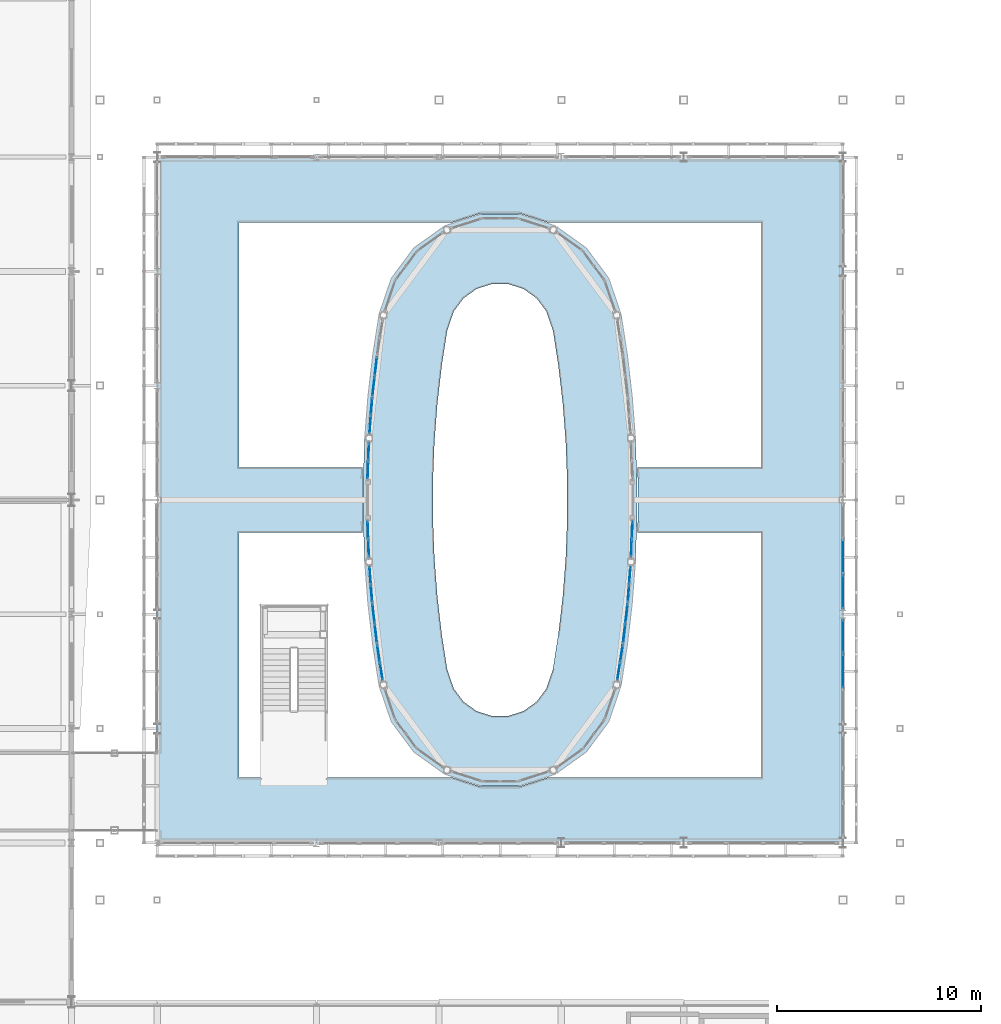
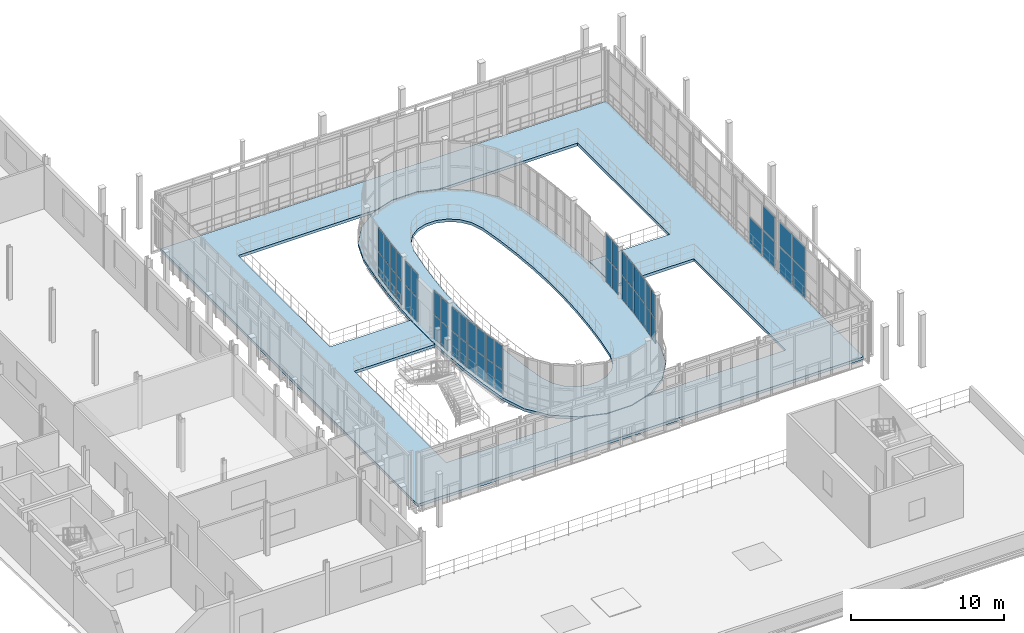
# One storey, part 98 of 138: 51 plates, 2 slabs, 13 elements without a shape of their own.
"""IFC4 building model written with IfcOpenShell, lengths in metres."""

from ifc_helpers import new_model, si_unit, direction, frame, origin, origin_2d, place, context, subcontext, project, spatial, polyline, rectangle, outline, extrude, material, layer, layer_set, type_object, element, aggregate, save


model = new_model("IFC4")

# Units and contexts
model_context = context("Model", 3, precision=1e-05, world=origin(), true_north=direction((0.0, 1.0)))
body_context = subcontext(model_context, "Body", "Model", "MODEL_VIEW")
ifc_project = project(units=[si_unit("LENGTHUNIT", "METRE"), si_unit("AREAUNIT", "SQUARE_METRE"), si_unit("VOLUMEUNIT", "CUBIC_METRE"), si_unit("PLANEANGLEUNIT", "RADIAN"), si_unit("MASSUNIT", "GRAM", prefix="KILO")], contexts=[model_context])

# Site, building, storey
site_placement = place(None, origin())
site = spatial("IfcSite", under=ifc_project, at=site_placement, CompositionType="ELEMENT")
building_placement = place(site_placement, origin())
building = spatial("IfcBuilding", under=site, at=building_placement, Name="Vinh Khe Railworks Police Headquarters", CompositionType="ELEMENT")
storey_placement = place(building_placement, frame((0.0, 0.0, 9.0)))
storey = spatial("IfcBuildingStorey", under=building, at=storey_placement, Name="L02", CompositionType="ELEMENT", Elevation=9.0)

# Curtain wall, plates
ifc_material_1 = material(Name="Anodised aluminium and acoustic laminated glass", Category="aluminium")
ifc_layer_1 = layer(ifc_material_1, 0.159912109375)
ifc_layer_set_1 = layer_set([ifc_layer_1], Name="Anodised aluminium and acoustic laminated glass")
curtain_wall_type_1 = type_object("IfcCurtainWallType", Name="CW-DRUM-CHORD", PredefinedType="USERDEFINED", material=ifc_layer_set_1)
curtain_wall_1_placement = place(storey_placement, origin())
curtain_wall_1 = element("IfcCurtainWall", 1, at=curtain_wall_1_placement, inside=storey, type_object=curtain_wall_type_1, Name="Elliptical Command Drum Glazing L02 Chord 1", ObjectType="DRUM FACADE GLAZING", PredefinedType="USERDEFINED")
ifc_material_2 = material(Name="Acoustic laminated solar-control glass", Category="glass")
ifc_layer_2 = layer(ifc_material_2, 0.031982421875)
ifc_layer_set_2 = layer_set([ifc_layer_2], Name="Acoustic laminated solar-control glass")
plate_type_1 = type_object("IfcPlateType", Name="PAN-DRUM-32", PredefinedType="CURTAIN_PANEL", material=ifc_layer_set_2)
plate_1_placement = place(storey_placement, frame((49.015869140625, 33.6064453125, 0.06494140625), z_axis=(0.0, 0.0, 1.0), x_axis=(0.153490222159, 0.988150166575, 0.0)))
plate_1 = element("IfcPlate", 2, at=plate_1_placement, type_object=plate_type_1, Name="CW-02 panel 1.1", PredefinedType="CURTAIN_PANEL", context=body_context, shape_type="SweptSolid", body=[
    extrude(rectangle(XDim=0.814697265625, YDim=0.031982421875, at=origin_2d()), origin(), (0.0, 0.0, 1.0), 1.887451171875),
])
plate_2_placement = place(storey_placement, frame((49.015869140625, 33.6064453125, 2.017578125), z_axis=(0.0, 0.0, 1.0), x_axis=(0.153490222159, 0.988150166575, 0.0)))
plate_2 = element("IfcPlate", 3, at=plate_2_placement, type_object=plate_type_1, Name="CW-02 panel 1.2", PredefinedType="CURTAIN_PANEL", context=body_context, shape_type="SweptSolid", body=[
    extrude(rectangle(XDim=0.814697265625, YDim=0.031982421875, at=origin_2d()), origin(), (0.0, 0.0, 1.0), 1.887451171875),
])
plate_3_placement = place(storey_placement, frame((49.15087890625, 34.475830078125, 0.06494140625), z_axis=(0.0, 0.0, 1.0), x_axis=(0.153490222159, 0.988150166575, 0.0)))
plate_3 = element("IfcPlate", 4, at=plate_3_placement, type_object=plate_type_1, Name="CW-02 panel 2.1", PredefinedType="CURTAIN_PANEL", context=body_context, shape_type="SweptSolid", body=[
    extrude(rectangle(XDim=0.814697265625, YDim=0.031982421875, at=origin_2d()), origin(), (0.0, 0.0, 1.0), 1.887451171875),
])
plate_4_placement = place(storey_placement, frame((49.15087890625, 34.475830078125, 2.017578125), z_axis=(0.0, 0.0, 1.0), x_axis=(0.153490222159, 0.988150166575, 0.0)))
plate_4 = element("IfcPlate", 5, at=plate_4_placement, type_object=plate_type_1, Name="CW-02 panel 2.2", PredefinedType="CURTAIN_PANEL", context=body_context, shape_type="SweptSolid", body=[
    extrude(rectangle(XDim=0.814697265625, YDim=0.031982421875, at=origin_2d()), origin(), (0.0, 0.0, 1.0), 1.887451171875),
])
aggregate(curtain_wall_1, [plate_1, plate_2, plate_3, plate_4])

curtain_wall_2_placement = place(storey_placement, origin())
curtain_wall_2 = element("IfcCurtainWall", 6, at=curtain_wall_2_placement, inside=storey, type_object=curtain_wall_type_1, Name="Elliptical Command Drum Glazing L02 Chord 2", ObjectType="DRUM FACADE GLAZING", PredefinedType="USERDEFINED")
plate_5_placement = place(storey_placement, frame((49.28369140625, 35.4609375, 0.06494140625), z_axis=(0.0, 0.0, 1.0), x_axis=(0.115317737498, 0.993328656296, 0.0)))
plate_5 = element("IfcPlate", 7, at=plate_5_placement, type_object=plate_type_1, Name="CW-02 panel 1.1", PredefinedType="CURTAIN_PANEL", context=body_context, shape_type="SweptSolid", body=[
    extrude(rectangle(XDim=0.913818359375, YDim=0.031982421875, at=origin_2d()), origin(), (0.0, 0.0, 1.0), 1.887451171875),
])
plate_6_placement = place(storey_placement, frame((49.28369140625, 35.4609375, 2.017578125), z_axis=(0.0, 0.0, 1.0), x_axis=(0.115317737498, 0.993328656296, 0.0)))
plate_6 = element("IfcPlate", 8, at=plate_6_placement, type_object=plate_type_1, Name="CW-02 panel 1.2", PredefinedType="CURTAIN_PANEL", context=body_context, shape_type="SweptSolid", body=[
    extrude(rectangle(XDim=0.913818359375, YDim=0.031982421875, at=origin_2d()), origin(), (0.0, 0.0, 1.0), 1.887451171875),
])
plate_7_placement = place(storey_placement, frame((49.396484375, 36.43310546875, 0.06494140625), z_axis=(0.0, 0.0, 1.0), x_axis=(0.115317737498, 0.993328656296, 0.0)))
plate_7 = element("IfcPlate", 9, at=plate_7_placement, type_object=plate_type_1, Name="CW-02 panel 2.1", PredefinedType="CURTAIN_PANEL", context=body_context, shape_type="SweptSolid", body=[
    extrude(rectangle(XDim=0.913818359375, YDim=0.031982421875, at=origin_2d()), origin(), (0.0, 0.0, 1.0), 1.887451171875),
])
plate_8_placement = place(storey_placement, frame((49.396484375, 36.43310546875, 2.017578125), z_axis=(0.0, 0.0, 1.0), x_axis=(0.115317737498, 0.993328656296, 0.0)))
plate_8 = element("IfcPlate", 10, at=plate_8_placement, type_object=plate_type_1, Name="CW-02 panel 2.2", PredefinedType="CURTAIN_PANEL", context=body_context, shape_type="SweptSolid", body=[
    extrude(rectangle(XDim=0.913818359375, YDim=0.031982421875, at=origin_2d()), origin(), (0.0, 0.0, 1.0), 1.887451171875),
])
aggregate(curtain_wall_2, [plate_5, plate_6, plate_7, plate_8])

curtain_wall_3_placement = place(storey_placement, origin())
curtain_wall_3 = element("IfcCurtainWall", 11, at=curtain_wall_3_placement, inside=storey, type_object=curtain_wall_type_1, Name="Elliptical Command Drum Glazing L02 Chord 3", ObjectType="DRUM FACADE GLAZING", PredefinedType="USERDEFINED")
plate_9_placement = place(storey_placement, frame((49.4931640625, 37.42236328125, 0.06494140625), z_axis=(0.0, 0.0, 1.0), x_axis=(0.076968911839, 0.997033493224, 0.0)))
plate_9 = element("IfcPlate", 12, at=plate_9_placement, type_object=plate_type_1, Name="CW-02 panel 1.1", PredefinedType="CURTAIN_PANEL", context=body_context, shape_type="SweptSolid", body=[
    extrude(rectangle(XDim=0.814697265625, YDim=0.031982421875, at=origin_2d()), origin(), (0.0, 0.0, 1.0), 1.887451171875),
])
plate_10_placement = place(storey_placement, frame((49.4931640625, 37.42236328125, 2.017578125), z_axis=(0.0, 0.0, 1.0), x_axis=(0.076968911839, 0.997033493224, 0.0)))
plate_10 = element("IfcPlate", 13, at=plate_10_placement, type_object=plate_type_1, Name="CW-02 panel 1.2", PredefinedType="CURTAIN_PANEL", context=body_context, shape_type="SweptSolid", body=[
    extrude(rectangle(XDim=0.814697265625, YDim=0.031982421875, at=origin_2d()), origin(), (0.0, 0.0, 1.0), 1.887451171875),
])
plate_11_placement = place(storey_placement, frame((49.560791015625, 38.2998046875, 0.06494140625), z_axis=(0.0, 0.0, 1.0), x_axis=(0.076968911839, 0.997033493224, 0.0)))
plate_11 = element("IfcPlate", 14, at=plate_11_placement, type_object=plate_type_1, Name="CW-02 panel 2.1", PredefinedType="CURTAIN_PANEL", context=body_context, shape_type="SweptSolid", body=[
    extrude(rectangle(XDim=0.814697265625, YDim=0.031982421875, at=origin_2d()), origin(), (0.0, 0.0, 1.0), 1.887451171875),
])
plate_12_placement = place(storey_placement, frame((49.560791015625, 38.2998046875, 2.017578125), z_axis=(0.0, 0.0, 1.0), x_axis=(0.076968911839, 0.997033493224, 0.0)))
plate_12 = element("IfcPlate", 15, at=plate_12_placement, type_object=plate_type_1, Name="CW-02 panel 2.2", PredefinedType="CURTAIN_PANEL", context=body_context, shape_type="SweptSolid", body=[
    extrude(rectangle(XDim=0.814697265625, YDim=0.031982421875, at=origin_2d()), origin(), (0.0, 0.0, 1.0), 1.887451171875),
])
aggregate(curtain_wall_3, [plate_9, plate_10, plate_11, plate_12])

curtain_wall_4_placement = place(storey_placement, origin())
curtain_wall_4 = element("IfcCurtainWall", 16, at=curtain_wall_4_placement, inside=storey, type_object=curtain_wall_type_1, Name="Elliptical Command Drum Glazing L02 Chord 4", ObjectType="DRUM FACADE GLAZING", PredefinedType="USERDEFINED")
plate_13_placement = place(storey_placement, frame((49.63818359375, 39.6376953125, 0.06494140625), z_axis=(0.0, 0.0, 1.0), x_axis=(0.038512684833, 0.999258111354, 0.0)))
plate_13 = element("IfcPlate", 17, at=plate_13_placement, type_object=plate_type_1, Name="CW-02 panel 1.1", PredefinedType="CURTAIN_PANEL", context=body_context, shape_type="SweptSolid", body=[
    extrude(rectangle(XDim=0.814697265625, YDim=0.031982421875, at=origin_2d()), origin(), (0.0, 0.0, 1.0), 1.887451171875),
])
plate_14_placement = place(storey_placement, frame((49.63818359375, 39.6376953125, 2.017578125), z_axis=(0.0, 0.0, 1.0), x_axis=(0.038512684833, 0.999258111354, 0.0)))
plate_14 = element("IfcPlate", 18, at=plate_14_placement, type_object=plate_type_1, Name="CW-02 panel 1.2", PredefinedType="CURTAIN_PANEL", context=body_context, shape_type="SweptSolid", body=[
    extrude(rectangle(XDim=0.814697265625, YDim=0.031982421875, at=origin_2d()), origin(), (0.0, 0.0, 1.0), 1.887451171875),
])
plate_15_placement = place(storey_placement, frame((49.672119140625, 40.516845703125, 0.06494140625), z_axis=(0.0, 0.0, 1.0), x_axis=(0.038512684833, 0.999258111354, 0.0)))
plate_15 = element("IfcPlate", 19, at=plate_15_placement, type_object=plate_type_1, Name="CW-02 panel 2.1", PredefinedType="CURTAIN_PANEL", context=body_context, shape_type="SweptSolid", body=[
    extrude(rectangle(XDim=0.814697265625, YDim=0.031982421875, at=origin_2d()), origin(), (0.0, 0.0, 1.0), 1.887451171875),
])
plate_16_placement = place(storey_placement, frame((49.672119140625, 40.516845703125, 2.017578125), z_axis=(0.0, 0.0, 1.0), x_axis=(0.038512684833, 0.999258111354, 0.0)))
plate_16 = element("IfcPlate", 20, at=plate_16_placement, type_object=plate_type_1, Name="CW-02 panel 2.2", PredefinedType="CURTAIN_PANEL", context=body_context, shape_type="SweptSolid", body=[
    extrude(rectangle(XDim=0.814697265625, YDim=0.031982421875, at=origin_2d()), origin(), (0.0, 0.0, 1.0), 1.887451171875),
])
aggregate(curtain_wall_4, [plate_13, plate_14, plate_15, plate_16])

curtain_wall_5_placement = place(storey_placement, origin())
curtain_wall_5 = element("IfcCurtainWall", 21, at=curtain_wall_5_placement, inside=storey, type_object=curtain_wall_type_1, Name="Elliptical Command Drum Glazing L02 Chord 20", ObjectType="DRUM FACADE GLAZING", PredefinedType="USERDEFINED")
plate_17_placement = place(storey_placement, frame((37.116455078125, 48.5390625, 0.06494140625), z_axis=(0.0, 0.0, 1.0), x_axis=(-0.115317737498, -0.993328656296, 0.0)))
plate_17 = element("IfcPlate", 22, at=plate_17_placement, type_object=plate_type_1, Name="CW-02 panel 1.1", PredefinedType="CURTAIN_PANEL", context=body_context, shape_type="SweptSolid", body=[
    extrude(rectangle(XDim=0.913818359375, YDim=0.031982421875, at=origin_2d()), origin(), (0.0, 0.0, 1.0), 1.887451171875),
])
plate_18_placement = place(storey_placement, frame((37.116455078125, 48.5390625, 2.017578125), z_axis=(0.0, 0.0, 1.0), x_axis=(-0.115317737498, -0.993328656296, 0.0)))
plate_18 = element("IfcPlate", 23, at=plate_18_placement, type_object=plate_type_1, Name="CW-02 panel 1.2", PredefinedType="CURTAIN_PANEL", context=body_context, shape_type="SweptSolid", body=[
    extrude(rectangle(XDim=0.913818359375, YDim=0.031982421875, at=origin_2d()), origin(), (0.0, 0.0, 1.0), 1.887451171875),
])
plate_19_placement = place(storey_placement, frame((37.00341796875, 47.56689453125, 0.06494140625), z_axis=(0.0, 0.0, 1.0), x_axis=(-0.115317737498, -0.993328656296, 0.0)))
plate_19 = element("IfcPlate", 24, at=plate_19_placement, type_object=plate_type_1, Name="CW-02 panel 2.1", PredefinedType="CURTAIN_PANEL", context=body_context, shape_type="SweptSolid", body=[
    extrude(rectangle(XDim=0.913818359375, YDim=0.031982421875, at=origin_2d()), origin(), (0.0, 0.0, 1.0), 1.887451171875),
])
plate_20_placement = place(storey_placement, frame((37.00341796875, 47.56689453125, 2.017578125), z_axis=(0.0, 0.0, 1.0), x_axis=(-0.115317737498, -0.993328656296, 0.0)))
plate_20 = element("IfcPlate", 25, at=plate_20_placement, type_object=plate_type_1, Name="CW-02 panel 2.2", PredefinedType="CURTAIN_PANEL", context=body_context, shape_type="SweptSolid", body=[
    extrude(rectangle(XDim=0.913818359375, YDim=0.031982421875, at=origin_2d()), origin(), (0.0, 0.0, 1.0), 1.887451171875),
])
aggregate(curtain_wall_5, [plate_17, plate_18, plate_19, plate_20])

curtain_wall_6_placement = place(storey_placement, origin())
curtain_wall_6 = element("IfcCurtainWall", 26, at=curtain_wall_6_placement, inside=storey, type_object=curtain_wall_type_1, Name="Elliptical Command Drum Glazing L02 Chord 21", ObjectType="DRUM FACADE GLAZING", PredefinedType="USERDEFINED")
plate_21_placement = place(storey_placement, frame((36.906982421875, 46.57763671875, 0.06494140625), z_axis=(0.0, 0.0, 1.0), x_axis=(-0.076968911839, -0.997033493224, 0.0)))
plate_21 = element("IfcPlate", 27, at=plate_21_placement, type_object=plate_type_1, Name="CW-02 panel 1.1", PredefinedType="CURTAIN_PANEL", context=body_context, shape_type="SweptSolid", body=[
    extrude(rectangle(XDim=0.814697265625, YDim=0.031982421875, at=origin_2d()), origin(), (0.0, 0.0, 1.0), 1.887451171875),
])
plate_22_placement = place(storey_placement, frame((36.906982421875, 46.57763671875, 2.017578125), z_axis=(0.0, 0.0, 1.0), x_axis=(-0.076968911839, -0.997033493224, 0.0)))
plate_22 = element("IfcPlate", 28, at=plate_22_placement, type_object=plate_type_1, Name="CW-02 panel 1.2", PredefinedType="CURTAIN_PANEL", context=body_context, shape_type="SweptSolid", body=[
    extrude(rectangle(XDim=0.814697265625, YDim=0.031982421875, at=origin_2d()), origin(), (0.0, 0.0, 1.0), 1.887451171875),
])
plate_23_placement = place(storey_placement, frame((36.839111328125, 45.7001953125, 0.06494140625), z_axis=(0.0, 0.0, 1.0), x_axis=(-0.076968911839, -0.997033493224, 0.0)))
plate_23 = element("IfcPlate", 29, at=plate_23_placement, type_object=plate_type_1, Name="CW-02 panel 2.1", PredefinedType="CURTAIN_PANEL", context=body_context, shape_type="SweptSolid", body=[
    extrude(rectangle(XDim=0.814697265625, YDim=0.031982421875, at=origin_2d()), origin(), (0.0, 0.0, 1.0), 1.887451171875),
])
plate_24_placement = place(storey_placement, frame((36.839111328125, 45.7001953125, 2.017578125), z_axis=(0.0, 0.0, 1.0), x_axis=(-0.076968911839, -0.997033493224, 0.0)))
plate_24 = element("IfcPlate", 30, at=plate_24_placement, type_object=plate_type_1, Name="CW-02 panel 2.2", PredefinedType="CURTAIN_PANEL", context=body_context, shape_type="SweptSolid", body=[
    extrude(rectangle(XDim=0.814697265625, YDim=0.031982421875, at=origin_2d()), origin(), (0.0, 0.0, 1.0), 1.887451171875),
])
aggregate(curtain_wall_6, [plate_21, plate_22, plate_23, plate_24])

curtain_wall_7_placement = place(storey_placement, origin())
curtain_wall_7 = element("IfcCurtainWall", 31, at=curtain_wall_7_placement, inside=storey, type_object=curtain_wall_type_1, Name="Elliptical Command Drum Glazing L02 Chord 22", ObjectType="DRUM FACADE GLAZING", PredefinedType="USERDEFINED")
plate_25_placement = place(storey_placement, frame((36.76171875, 44.3623046875, 0.06494140625), z_axis=(0.0, 0.0, 1.0), x_axis=(-0.038512684833, -0.999258111354, 0.0)))
plate_25 = element("IfcPlate", 32, at=plate_25_placement, type_object=plate_type_1, Name="CW-02 panel 1.1", PredefinedType="CURTAIN_PANEL", context=body_context, shape_type="SweptSolid", body=[
    extrude(rectangle(XDim=0.814697265625, YDim=0.031982421875, at=origin_2d()), origin(), (0.0, 0.0, 1.0), 1.887451171875),
])
plate_26_placement = place(storey_placement, frame((36.76171875, 44.3623046875, 2.017578125), z_axis=(0.0, 0.0, 1.0), x_axis=(-0.038512684833, -0.999258111354, 0.0)))
plate_26 = element("IfcPlate", 33, at=plate_26_placement, type_object=plate_type_1, Name="CW-02 panel 1.2", PredefinedType="CURTAIN_PANEL", context=body_context, shape_type="SweptSolid", body=[
    extrude(rectangle(XDim=0.814697265625, YDim=0.031982421875, at=origin_2d()), origin(), (0.0, 0.0, 1.0), 1.887451171875),
])
plate_27_placement = place(storey_placement, frame((36.72802734375, 43.483154296875, 0.06494140625), z_axis=(0.0, 0.0, 1.0), x_axis=(-0.038512684833, -0.999258111354, 0.0)))
plate_27 = element("IfcPlate", 34, at=plate_27_placement, type_object=plate_type_1, Name="CW-02 panel 2.1", PredefinedType="CURTAIN_PANEL", context=body_context, shape_type="SweptSolid", body=[
    extrude(rectangle(XDim=0.814697265625, YDim=0.031982421875, at=origin_2d()), origin(), (0.0, 0.0, 1.0), 1.887451171875),
])
plate_28_placement = place(storey_placement, frame((36.72802734375, 43.483154296875, 2.017578125), z_axis=(0.0, 0.0, 1.0), x_axis=(-0.038512684833, -0.999258111354, 0.0)))
plate_28 = element("IfcPlate", 35, at=plate_28_placement, type_object=plate_type_1, Name="CW-02 panel 2.2", PredefinedType="CURTAIN_PANEL", context=body_context, shape_type="SweptSolid", body=[
    extrude(rectangle(XDim=0.814697265625, YDim=0.031982421875, at=origin_2d()), origin(), (0.0, 0.0, 1.0), 1.887451171875),
])
aggregate(curtain_wall_7, [plate_25, plate_26, plate_27, plate_28])

curtain_wall_8_placement = place(storey_placement, origin())
curtain_wall_8 = element("IfcCurtainWall", 36, at=curtain_wall_8_placement, inside=storey, type_object=curtain_wall_type_1, Name="Elliptical Command Drum Glazing L02 Chord 24", ObjectType="DRUM FACADE GLAZING", PredefinedType="USERDEFINED")
plate_29_placement = place(storey_placement, frame((36.72802734375, 40.516845703125, 0.06494140625), z_axis=(0.0, 0.0, 1.0), x_axis=(0.038512684833, -0.999258111354, 0.0)))
plate_29 = element("IfcPlate", 37, at=plate_29_placement, type_object=plate_type_1, Name="CW-02 panel 1.1", PredefinedType="CURTAIN_PANEL", context=body_context, shape_type="SweptSolid", body=[
    extrude(rectangle(XDim=0.814697265625, YDim=0.031982421875, at=origin_2d()), origin(), (0.0, 0.0, 1.0), 1.887451171875),
])
plate_30_placement = place(storey_placement, frame((36.72802734375, 40.516845703125, 2.017578125), z_axis=(0.0, 0.0, 1.0), x_axis=(0.038512684833, -0.999258111354, 0.0)))
plate_30 = element("IfcPlate", 38, at=plate_30_placement, type_object=plate_type_1, Name="CW-02 panel 1.2", PredefinedType="CURTAIN_PANEL", context=body_context, shape_type="SweptSolid", body=[
    extrude(rectangle(XDim=0.814697265625, YDim=0.031982421875, at=origin_2d()), origin(), (0.0, 0.0, 1.0), 1.887451171875),
])
plate_31_placement = place(storey_placement, frame((36.76171875, 39.6376953125, 0.06494140625), z_axis=(0.0, 0.0, 1.0), x_axis=(0.038512684833, -0.999258111354, 0.0)))
plate_31 = element("IfcPlate", 39, at=plate_31_placement, type_object=plate_type_1, Name="CW-02 panel 2.1", PredefinedType="CURTAIN_PANEL", context=body_context, shape_type="SweptSolid", body=[
    extrude(rectangle(XDim=0.814697265625, YDim=0.031982421875, at=origin_2d()), origin(), (0.0, 0.0, 1.0), 1.887451171875),
])
plate_32_placement = place(storey_placement, frame((36.76171875, 39.6376953125, 2.017578125), z_axis=(0.0, 0.0, 1.0), x_axis=(0.038512684833, -0.999258111354, 0.0)))
plate_32 = element("IfcPlate", 40, at=plate_32_placement, type_object=plate_type_1, Name="CW-02 panel 2.2", PredefinedType="CURTAIN_PANEL", context=body_context, shape_type="SweptSolid", body=[
    extrude(rectangle(XDim=0.814697265625, YDim=0.031982421875, at=origin_2d()), origin(), (0.0, 0.0, 1.0), 1.887451171875),
])
aggregate(curtain_wall_8, [plate_29, plate_30, plate_31, plate_32])

curtain_wall_9_placement = place(storey_placement, origin())
curtain_wall_9 = element("IfcCurtainWall", 41, at=curtain_wall_9_placement, inside=storey, type_object=curtain_wall_type_1, Name="Elliptical Command Drum Glazing L02 Chord 25", ObjectType="DRUM FACADE GLAZING", PredefinedType="USERDEFINED")
plate_33_placement = place(storey_placement, frame((36.839111328125, 38.2998046875, 0.06494140625), z_axis=(0.0, 0.0, 1.0), x_axis=(0.076968911839, -0.997033493224, 0.0)))
plate_33 = element("IfcPlate", 42, at=plate_33_placement, type_object=plate_type_1, Name="CW-02 panel 1.1", PredefinedType="CURTAIN_PANEL", context=body_context, shape_type="SweptSolid", body=[
    extrude(rectangle(XDim=0.814697265625, YDim=0.031982421875, at=origin_2d()), origin(), (0.0, 0.0, 1.0), 1.887451171875),
])
plate_34_placement = place(storey_placement, frame((36.839111328125, 38.2998046875, 2.017578125), z_axis=(0.0, 0.0, 1.0), x_axis=(0.076968911839, -0.997033493224, 0.0)))
plate_34 = element("IfcPlate", 43, at=plate_34_placement, type_object=plate_type_1, Name="CW-02 panel 1.2", PredefinedType="CURTAIN_PANEL", context=body_context, shape_type="SweptSolid", body=[
    extrude(rectangle(XDim=0.814697265625, YDim=0.031982421875, at=origin_2d()), origin(), (0.0, 0.0, 1.0), 1.887451171875),
])
plate_35_placement = place(storey_placement, frame((36.906982421875, 37.42236328125, 0.06494140625), z_axis=(0.0, 0.0, 1.0), x_axis=(0.076968911839, -0.997033493224, 0.0)))
plate_35 = element("IfcPlate", 44, at=plate_35_placement, type_object=plate_type_1, Name="CW-02 panel 2.1", PredefinedType="CURTAIN_PANEL", context=body_context, shape_type="SweptSolid", body=[
    extrude(rectangle(XDim=0.814697265625, YDim=0.031982421875, at=origin_2d()), origin(), (0.0, 0.0, 1.0), 1.887451171875),
])
plate_36_placement = place(storey_placement, frame((36.906982421875, 37.42236328125, 2.017578125), z_axis=(0.0, 0.0, 1.0), x_axis=(0.076968911839, -0.997033493224, 0.0)))
plate_36 = element("IfcPlate", 45, at=plate_36_placement, type_object=plate_type_1, Name="CW-02 panel 2.2", PredefinedType="CURTAIN_PANEL", context=body_context, shape_type="SweptSolid", body=[
    extrude(rectangle(XDim=0.814697265625, YDim=0.031982421875, at=origin_2d()), origin(), (0.0, 0.0, 1.0), 1.887451171875),
])
aggregate(curtain_wall_9, [plate_33, plate_34, plate_35, plate_36])

curtain_wall_10_placement = place(storey_placement, origin())
curtain_wall_10 = element("IfcCurtainWall", 46, at=curtain_wall_10_placement, inside=storey, type_object=curtain_wall_type_1, Name="Elliptical Command Drum Glazing L02 Chord 26", ObjectType="DRUM FACADE GLAZING", PredefinedType="USERDEFINED")
plate_37_placement = place(storey_placement, frame((37.00341796875, 36.43310546875, 0.06494140625), z_axis=(0.0, 0.0, 1.0), x_axis=(0.115317737498, -0.993328656296, 0.0)))
plate_37 = element("IfcPlate", 47, at=plate_37_placement, type_object=plate_type_1, Name="CW-02 panel 1.1", PredefinedType="CURTAIN_PANEL", context=body_context, shape_type="SweptSolid", body=[
    extrude(rectangle(XDim=0.913818359375, YDim=0.031982421875, at=origin_2d()), origin(), (0.0, 0.0, 1.0), 1.887451171875),
])
plate_38_placement = place(storey_placement, frame((37.00341796875, 36.43310546875, 2.017578125), z_axis=(0.0, 0.0, 1.0), x_axis=(0.115317737498, -0.993328656296, 0.0)))
plate_38 = element("IfcPlate", 48, at=plate_38_placement, type_object=plate_type_1, Name="CW-02 panel 1.2", PredefinedType="CURTAIN_PANEL", context=body_context, shape_type="SweptSolid", body=[
    extrude(rectangle(XDim=0.913818359375, YDim=0.031982421875, at=origin_2d()), origin(), (0.0, 0.0, 1.0), 1.887451171875),
])
plate_39_placement = place(storey_placement, frame((37.116455078125, 35.4609375, 0.06494140625), z_axis=(0.0, 0.0, 1.0), x_axis=(0.115317737498, -0.993328656296, 0.0)))
plate_39 = element("IfcPlate", 49, at=plate_39_placement, type_object=plate_type_1, Name="CW-02 panel 2.1", PredefinedType="CURTAIN_PANEL", context=body_context, shape_type="SweptSolid", body=[
    extrude(rectangle(XDim=0.913818359375, YDim=0.031982421875, at=origin_2d()), origin(), (0.0, 0.0, 1.0), 1.887451171875),
])
plate_40_placement = place(storey_placement, frame((37.116455078125, 35.4609375, 2.017578125), z_axis=(0.0, 0.0, 1.0), x_axis=(0.115317737498, -0.993328656296, 0.0)))
plate_40 = element("IfcPlate", 50, at=plate_40_placement, type_object=plate_type_1, Name="CW-02 panel 2.2", PredefinedType="CURTAIN_PANEL", context=body_context, shape_type="SweptSolid", body=[
    extrude(rectangle(XDim=0.913818359375, YDim=0.031982421875, at=origin_2d()), origin(), (0.0, 0.0, 1.0), 1.887451171875),
])
aggregate(curtain_wall_10, [plate_37, plate_38, plate_39, plate_40])

curtain_wall_11_placement = place(storey_placement, origin())
curtain_wall_11 = element("IfcCurtainWall", 51, at=curtain_wall_11_placement, inside=storey, type_object=curtain_wall_type_1, Name="Elliptical Command Drum Glazing L02 Chord 27", ObjectType="DRUM FACADE GLAZING", PredefinedType="USERDEFINED")
plate_41_placement = place(storey_placement, frame((37.2490234375, 34.475830078125, 0.06494140625), z_axis=(0.0, 0.0, 1.0), x_axis=(0.153490222159, -0.988150166575, 0.0)))
plate_41 = element("IfcPlate", 52, at=plate_41_placement, type_object=plate_type_1, Name="CW-02 panel 1.1", PredefinedType="CURTAIN_PANEL", context=body_context, shape_type="SweptSolid", body=[
    extrude(rectangle(XDim=0.814697265625, YDim=0.031982421875, at=origin_2d()), origin(), (0.0, 0.0, 1.0), 1.887451171875),
])
plate_42_placement = place(storey_placement, frame((37.2490234375, 34.475830078125, 2.017578125), z_axis=(0.0, 0.0, 1.0), x_axis=(0.153490222159, -0.988150166575, 0.0)))
plate_42 = element("IfcPlate", 53, at=plate_42_placement, type_object=plate_type_1, Name="CW-02 panel 1.2", PredefinedType="CURTAIN_PANEL", context=body_context, shape_type="SweptSolid", body=[
    extrude(rectangle(XDim=0.814697265625, YDim=0.031982421875, at=origin_2d()), origin(), (0.0, 0.0, 1.0), 1.887451171875),
])
plate_43_placement = place(storey_placement, frame((37.384033203125, 33.6064453125, 0.06494140625), z_axis=(0.0, 0.0, 1.0), x_axis=(0.153490222159, -0.988150166575, 0.0)))
plate_43 = element("IfcPlate", 54, at=plate_43_placement, type_object=plate_type_1, Name="CW-02 panel 2.1", PredefinedType="CURTAIN_PANEL", context=body_context, shape_type="SweptSolid", body=[
    extrude(rectangle(XDim=0.814697265625, YDim=0.031982421875, at=origin_2d()), origin(), (0.0, 0.0, 1.0), 1.887451171875),
])
plate_44_placement = place(storey_placement, frame((37.384033203125, 33.6064453125, 2.017578125), z_axis=(0.0, 0.0, 1.0), x_axis=(0.153490222159, -0.988150166575, 0.0)))
plate_44 = element("IfcPlate", 55, at=plate_44_placement, type_object=plate_type_1, Name="CW-02 panel 2.2", PredefinedType="CURTAIN_PANEL", context=body_context, shape_type="SweptSolid", body=[
    extrude(rectangle(XDim=0.814697265625, YDim=0.031982421875, at=origin_2d()), origin(), (0.0, 0.0, 1.0), 1.887451171875),
])
aggregate(curtain_wall_11, [plate_41, plate_42, plate_43, plate_44])

ifc_material_3 = material(Name="Anodised aluminium and low-iron glass", Category="aluminium")
ifc_layer_3 = layer(ifc_material_3, 0.179931640625)
ifc_layer_set_3 = layer_set([ifc_layer_3], Name="Anodised aluminium and low-iron glass")
curtain_wall_type_2 = type_object("IfcCurtainWallType", Name="CW-CUBE-UNIT", PredefinedType="USERDEFINED", material=ifc_layer_set_3)
curtain_wall_12_placement = place(storey_placement, origin())
curtain_wall_12 = element("IfcCurtainWall", 56, at=curtain_wall_12_placement, inside=storey, type_object=curtain_wall_type_2, Name="Entrance Hall Curtain Wall L02 E-2", ObjectType="UNITISED GLAZING", PredefinedType="USERDEFINED")
ifc_material_4 = material(Name="Low-iron laminated solar-control glass", Category="glass")
ifc_layer_4 = layer(ifc_material_4, 0.028076171875)
ifc_layer_set_4 = layer_set([ifc_layer_4], Name="Low-iron laminated solar-control glass")
plate_type_2 = type_object("IfcPlateType", Name="PAN-GLZ-28", PredefinedType="CURTAIN_PANEL", material=ifc_layer_set_4)
plate_45_placement = place(storey_placement, frame((60.0, 33.612548828125, 0.070068359375), z_axis=(0.0, 0.0, 1.0), x_axis=(0.0, 1.0, 0.0)))
plate_45 = element("IfcPlate", 57, at=plate_45_placement, type_object=plate_type_2, Name="CW-01 panel 2.1", PredefinedType="CURTAIN_PANEL", context=body_context, shape_type="SweptSolid", body=[
    extrude(rectangle(XDim=1.64501953125, YDim=0.028076171875, at=origin_2d()), origin(), (0.0, 0.0, 1.0), 2.0791015625),
])
plate_46_placement = place(storey_placement, frame((60.0, 33.612548828125, 2.21923828125), z_axis=(0.0, 0.0, 1.0), x_axis=(0.0, 1.0, 0.0)))
plate_46 = element("IfcPlate", 58, at=plate_46_placement, type_object=plate_type_2, Name="CW-01 panel 2.2", PredefinedType="CURTAIN_PANEL", context=body_context, shape_type="SweptSolid", body=[
    extrude(rectangle(XDim=1.64501953125, YDim=0.028076171875, at=origin_2d()), origin(), (0.0, 0.0, 1.0), 1.910888671875),
])
plate_47_placement = place(storey_placement, frame((60.0, 35.31005859375, 0.070068359375), z_axis=(0.0, 0.0, 1.0), x_axis=(0.0, 1.0, 0.0)))
plate_47 = element("IfcPlate", 59, at=plate_47_placement, type_object=plate_type_2, Name="CW-01 panel 3.1", PredefinedType="CURTAIN_PANEL", context=body_context, shape_type="SweptSolid", body=[
    extrude(rectangle(XDim=1.610107421875, YDim=0.028076171875, at=origin_2d()), origin(), (0.0, 0.0, 1.0), 2.0791015625),
])
plate_48_placement = place(storey_placement, frame((60.0, 35.31005859375, 2.21923828125), z_axis=(0.0, 0.0, 1.0), x_axis=(0.0, 1.0, 0.0)))
plate_48 = element("IfcPlate", 60, at=plate_48_placement, type_object=plate_type_2, Name="CW-01 panel 3.2", PredefinedType="CURTAIN_PANEL", context=body_context, shape_type="SweptSolid", body=[
    extrude(rectangle(XDim=1.610107421875, YDim=0.028076171875, at=origin_2d()), origin(), (0.0, 0.0, 1.0), 1.910888671875),
])
aggregate(curtain_wall_12, [plate_45, plate_46, plate_47, plate_48])

curtain_wall_13_placement = place(storey_placement, origin())
curtain_wall_13 = element("IfcCurtainWall", 61, at=curtain_wall_13_placement, inside=storey, type_object=curtain_wall_type_2, Name="Entrance Hall Curtain Wall L02 E-3", ObjectType="UNITISED GLAZING", PredefinedType="USERDEFINED")
plate_49_placement = place(storey_placement, frame((60.0, 37.501708984375, 0.070068359375), z_axis=(0.0, 0.0, 1.0), x_axis=(0.0, 1.0, 0.0)))
plate_49 = element("IfcPlate", 62, at=plate_49_placement, type_object=plate_type_2, Name="CW-01 panel 1.1", PredefinedType="CURTAIN_PANEL", context=body_context, shape_type="SweptSolid", body=[
    extrude(rectangle(XDim=1.63330078125, YDim=0.028076171875, at=origin_2d()), origin(), (0.0, 0.0, 1.0), 2.0791015625),
])
plate_50_placement = place(storey_placement, frame((60.0, 37.501708984375, 2.21923828125), z_axis=(0.0, 0.0, 1.0), x_axis=(0.0, 1.0, 0.0)))
plate_50 = element("IfcPlate", 63, at=plate_50_placement, type_object=plate_type_2, Name="CW-01 panel 1.2", PredefinedType="CURTAIN_PANEL", context=body_context, shape_type="SweptSolid", body=[
    extrude(rectangle(XDim=1.63330078125, YDim=0.028076171875, at=origin_2d()), origin(), (0.0, 0.0, 1.0), 1.910888671875),
])
plate_51_placement = place(storey_placement, frame((60.0, 39.222412109375, 0.070068359375), z_axis=(0.0, 0.0, 1.0), x_axis=(0.0, 1.0, 0.0)))
plate_51 = element("IfcPlate", 64, at=plate_51_placement, type_object=plate_type_2, Name="CW-01 panel 2.1", PredefinedType="CURTAIN_PANEL", context=body_context, shape_type="SweptSolid", body=[
    extrude(rectangle(XDim=1.668212890625, YDim=0.028076171875, at=origin_2d()), origin(), (0.0, 0.0, 1.0), 2.0791015625),
])
aggregate(curtain_wall_13, [plate_49, plate_50, plate_51])

# Slabs
ifc_material_5 = material(Name="Concrete C35/45 (B35)", Category="concrete")
ifc_layer_5 = layer(ifc_material_5, 0.219970703125)
ifc_layer_set_5 = layer_set([ifc_layer_5], Name="Concrete C35/45 (B35)")
slab_type = type_object("IfcSlabType", Name="Suspended Floor Slab 220", PredefinedType="FLOOR", material=ifc_layer_set_5)
slab_1_placement = place(storey_placement, frame((0.0, 0.0, -0.219970703125)))
element("IfcSlab", 65, at=slab_1_placement, inside=storey, type_object=slab_type, Name="V1 Floor Slab (L02)", PredefinedType="FLOOR", context=body_context, shape_type="SweptSolid", body=[
    extrude(outline(polyline([(26.39990234375, 25.199951171875), (60.0, 25.199951171875), (60.0, 58.800048828125), (26.39990234375, 58.800048828125), (26.39990234375, 25.199951171875)]), holes=[polyline([(45.5263671875, 28.39990234375), (44.1376953125, 27.954345703125), (42.26220703125, 27.954345703125), (40.873779296875, 28.39990234375), (30.39990234375, 28.39990234375), (30.39990234375, 40.39990234375), (36.47216796875, 40.39990234375), (36.44970703125, 40.98388671875), (36.44970703125, 43.01611328125), (36.47216796875, 43.60009765625), (30.39990234375, 43.60009765625), (30.39990234375, 55.60009765625), (40.873779296875, 55.60009765625), (42.26220703125, 56.045654296875), (44.1376953125, 56.045654296875), (45.5263671875, 55.60009765625), (56.0, 55.60009765625), (56.0, 43.60009765625), (49.927734375, 43.60009765625), (49.9501953125, 43.01611328125), (49.9501953125, 40.98388671875), (49.927734375, 40.39990234375), (56.0, 40.39990234375), (56.0, 28.39990234375), (45.5263671875, 28.39990234375)])]), origin(), (0.0, 0.0, 1.0), 0.219970703125),
])
slab_2_placement = place(storey_placement, frame((0.0, 0.0, -0.219970703125)))
element("IfcSlab", 66, at=slab_2_placement, inside=storey, type_object=slab_type, Name="V2 Floor Slab (L02)", PredefinedType="FLOOR", context=body_context, shape_type="SweptSolid", body=[
    extrude(outline(polyline([(49.12744140625, 32.891357421875), (49.44140625, 34.9130859375), (49.67578125, 36.930419921875), (49.83203125, 38.955078125), (49.91015625, 40.984619140625), (49.91015625, 43.015380859375), (49.83203125, 45.044921875), (49.67578125, 47.069580078125), (49.44140625, 49.0869140625), (49.12744140625, 51.108642578125), (48.53125, 52.857421875), (47.419921875, 54.3525390625), (45.905029296875, 55.4365234375), (44.13134765625, 56.005615234375), (42.2685546875, 56.005615234375), (40.494873046875, 55.4365234375), (38.97998046875, 54.3525390625), (37.868896484375, 52.857421875), (37.2724609375, 51.108642578125), (36.95849609375, 49.0869140625), (36.724365234375, 47.069580078125), (36.56787109375, 45.044921875), (36.48974609375, 43.015380859375), (36.48974609375, 40.984619140625), (36.56787109375, 38.955078125), (36.724365234375, 36.930419921875), (36.95849609375, 34.9130859375), (37.2724609375, 32.891357421875), (37.868896484375, 31.142578125), (38.97998046875, 29.6474609375), (40.494873046875, 28.5634765625), (42.2685546875, 27.994384765625), (44.13134765625, 27.994384765625), (45.905029296875, 28.5634765625), (47.419921875, 29.6474609375), (48.53125, 31.142578125), (49.12744140625, 32.891357421875)]), holes=[polyline([(45.7939453125, 33.7119140625), (46.052001953125, 35.372802734375), (46.27099609375, 37.25927734375), (46.417236328125, 39.15283203125), (46.490234375, 41.050537109375), (46.490234375, 42.949462890625), (46.417236328125, 44.84716796875), (46.27099609375, 46.74072265625), (46.052001953125, 48.627197265625), (45.7939453125, 50.2880859375), (45.467041015625, 51.246826171875), (44.994384765625, 51.882568359375), (44.350341796875, 52.343505859375), (43.595947265625, 52.585693359375), (42.803955078125, 52.585693359375), (42.0498046875, 52.343505859375), (41.405517578125, 51.882568359375), (40.93310546875, 51.246826171875), (40.60595703125, 50.2880859375), (40.34814453125, 48.627197265625), (40.129150390625, 46.74072265625), (39.98291015625, 44.84716796875), (39.90966796875, 42.949462890625), (39.90966796875, 41.050537109375), (39.98291015625, 39.15283203125), (40.129150390625, 37.25927734375), (40.34814453125, 35.372802734375), (40.60595703125, 33.7119140625), (40.93310546875, 32.753173828125), (41.405517578125, 32.117431640625), (42.0498046875, 31.656494140625), (42.803955078125, 31.414306640625), (43.595947265625, 31.414306640625), (44.350341796875, 31.656494140625), (44.994384765625, 32.117431640625), (45.467041015625, 32.753173828125), (45.7939453125, 33.7119140625)])]), origin(), (0.0, 0.0, 1.0), 0.219970703125),
])

save(model, "model.ifc")
